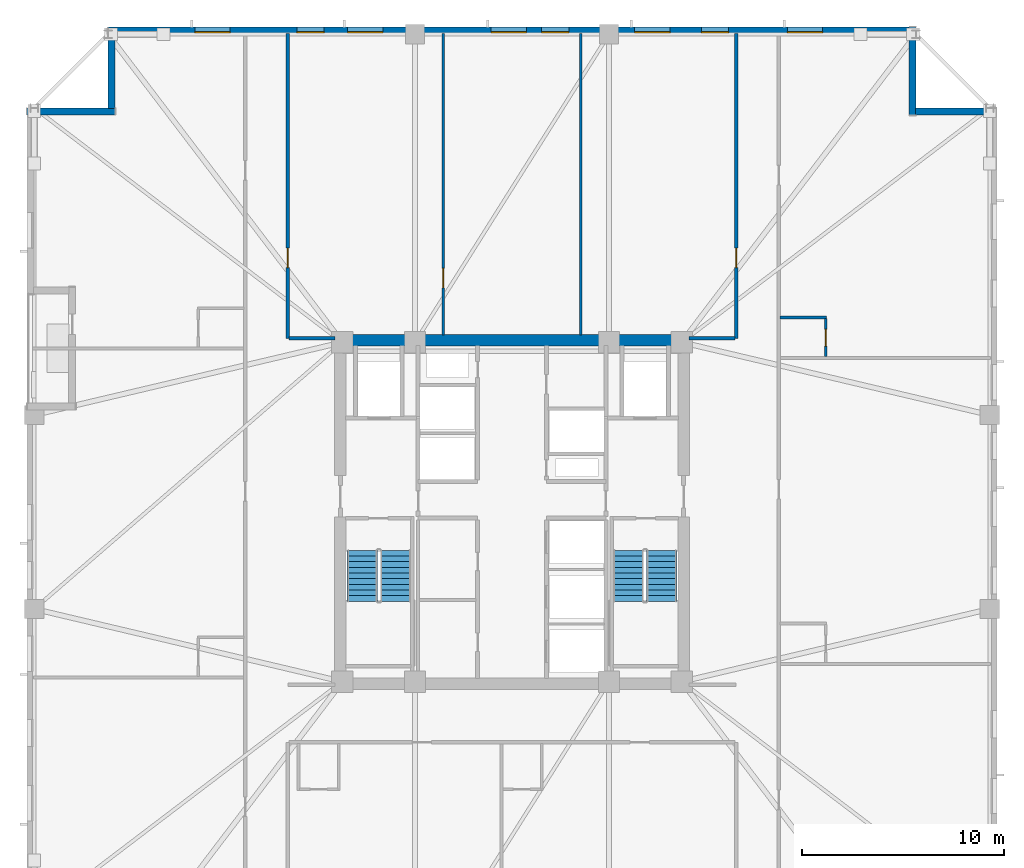
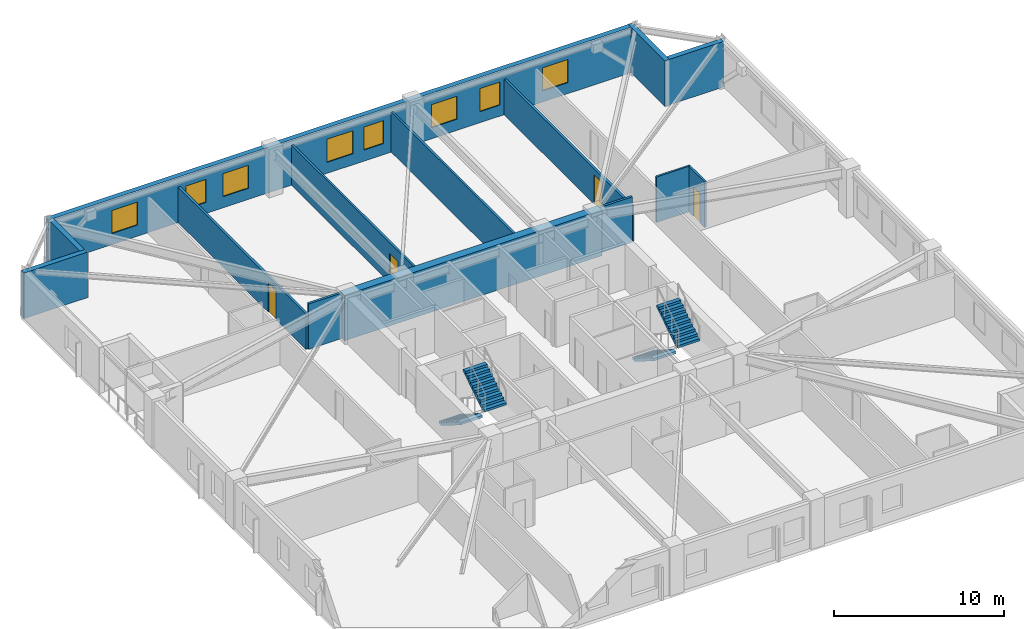
# One storey, part 5 of 10: 14 walls, 8 windows, 4 doors, 4 stair flights, 12 openings, 2 elements without a shape of their own.
"""IFC4 building model written with IfcOpenShell, lengths in metres."""

import ifcopenshell
import ifcopenshell.guid

model = None  # the IFC model being written
_history = None  # IfcOwnerHistory: only IFC2X3 demands one
_inside = {}  # id of a spatial element -> (the spatial element, [elements in it])
_under = {}  # id of a project, library or spatial element -> (it, [spatial elements below it])
_declared = {}  # id of a project -> (the project, [libraries it declares])
_typed = {}  # id of a type object -> (the type object, [elements of that type])
_made_of = {}  # id of a material, layer set ... -> (it, [elements and type objects made of it])


def new_model(schema):
    """Start an empty IFC model of exactly this schema.

    Asked for "IFC4X3", IfcOpenShell would pick the latest addendum, in which some entities
    have other attributes; the version numbers below select the first issue.
    IFC2X3 requires an IfcOwnerHistory on every rooted entity: one is made here for all.
    """
    global model, _history
    if schema == "IFC4X3":
        model = ifcopenshell.file(schema_version=(4, 3, 0, 0))
    else:
        model = ifcopenshell.file(schema=schema)
    _inside.clear()
    _under.clear()
    _declared.clear()
    _typed.clear()
    _made_of.clear()
    _history = None
    if model.schema == "IFC2X3":
        org = make("IfcOrganization", Name="unknown")
        user = make(
            "IfcPersonAndOrganization",
            ThePerson=make("IfcPerson", FamilyName="unknown"),
            TheOrganization=org,
        )
        app = make(
            "IfcApplication",
            ApplicationDeveloper=org,
            Version="unknown",
            ApplicationFullName="unknown",
            ApplicationIdentifier="unknown",
        )
        _history = make(
            "IfcOwnerHistory",
            OwningUser=user,
            OwningApplication=app,
            ChangeAction="ADDED",
            CreationDate=0,
        )
    return model


def make(cls, **values):
    """One entity of the class cls with the attributes given. An attribute that is None is left unset."""
    return model.create_entity(
        cls, **{name: value for name, value in values.items() if value is not None}
    )


def rooted(cls, **values):
    """An entity with a GlobalId (a new one), such as an element, a storey or a relation."""
    return make(cls, GlobalId=ifcopenshell.guid.new(), OwnerHistory=_history, **values)


def si_unit(unit_type, name, prefix=None):
    """IfcSIUnit, for example si_unit("LENGTHUNIT", "METRE", prefix="MILLI")."""
    return make("IfcSIUnit", UnitType=unit_type, Prefix=prefix, Name=name)


def assignment(units):
    """IfcUnitAssignment: the units of a project."""
    return None if units is None else make("IfcUnitAssignment", Units=units)


def point(xyz):
    """IfcCartesianPoint."""
    return None if xyz is None else make("IfcCartesianPoint", Coordinates=xyz)


def direction(xyz):
    """IfcDirection."""
    return None if xyz is None else make("IfcDirection", DirectionRatios=xyz)


def frame(location, z_axis=None, x_axis=None):
    """IfcAxis2Placement3D, a coordinate frame: its origin and axes. An axis left out is left unset."""
    return make(
        "IfcAxis2Placement3D",
        Location=point(location),
        Axis=direction(z_axis),
        RefDirection=direction(x_axis),
    )


def frame_2d(location, x_axis=None):
    """IfcAxis2Placement2D, a coordinate frame in the plane: its origin and x axis."""
    return make(
        "IfcAxis2Placement2D", Location=point(location), RefDirection=direction(x_axis)
    )


def origin():
    """The frame at (0, 0, 0) with its axes left unset."""
    return frame((0.0, 0.0, 0.0))


def place(relative_to, where):
    """IfcLocalPlacement: puts the frame where relative to a parent placement (None: the world)."""
    return make(
        "IfcLocalPlacement", PlacementRelTo=relative_to, RelativePlacement=where
    )


def context(
    kind, dimensions, precision=None, world=None, true_north=None, identifier=None
):
    """IfcGeometricRepresentationContext, for example the 3D "Model" context."""
    return make(
        "IfcGeometricRepresentationContext",
        ContextIdentifier=identifier,
        ContextType=kind,
        CoordinateSpaceDimension=dimensions,
        Precision=precision,
        WorldCoordinateSystem=world,
        TrueNorth=true_north,
    )


def subcontext(parent, identifier, kind, view, scale=None):
    """IfcGeometricRepresentationSubContext, for example "Body" below "Model"."""
    return make(
        "IfcGeometricRepresentationSubContext",
        ContextIdentifier=identifier,
        ContextType=kind,
        ParentContext=parent,
        TargetScale=scale,
        TargetView=view,
    )


def project(units=None, contexts=None):
    """IfcProject with its units and contexts."""
    return rooted(
        "IfcProject",
        Name="project",
        RepresentationContexts=contexts,
        UnitsInContext=assignment(units),
    )


def spatial(cls, under=None, at=None, **own):
    """A site, building, storey or space (cls), placed at a placement, below another one or the project."""
    s = rooted(cls, ObjectPlacement=at, **own)
    if under is not None:
        _under.setdefault(under.id(), (under, []))[1].append(s)
    return s


def polyline(points):
    """IfcPolyline through the points."""
    return make("IfcPolyline", Points=[point(p) for p in points])


def profile(cls, at=None, kind="AREA", **sizes):
    """A parametric profile (cls). Its sizes go by their IFC names, for example OverallWidth=200.0."""
    return make(cls, ProfileType=kind, Position=at, **sizes)


def rectangle(**sizes):
    """IfcRectangleProfileDef."""
    return profile("IfcRectangleProfileDef", **sizes)


def outline(outer, holes=None, kind="AREA"):
    """IfcArbitraryClosedProfileDef: a profile drawn as a closed curve; with holes, ...WithVoids."""
    if holes is None:
        return make("IfcArbitraryClosedProfileDef", ProfileType=kind, OuterCurve=outer)
    return make(
        "IfcArbitraryProfileDefWithVoids",
        ProfileType=kind,
        OuterCurve=outer,
        InnerCurves=holes,
    )


def extrude(swept, where, along, depth):
    """IfcExtrudedAreaSolid: the profile swept, set in the frame where, extruded along a direction by depth."""
    return make(
        "IfcExtrudedAreaSolid",
        SweptArea=swept,
        Position=where,
        ExtrudedDirection=direction(along),
        Depth=depth,
    )


def shape(context_of_items, identifier, shape_type, items):
    """IfcShapeRepresentation: the items that make up one representation, for example the "Body"."""
    return make(
        "IfcShapeRepresentation",
        ContextOfItems=context_of_items,
        RepresentationIdentifier=identifier,
        RepresentationType=shape_type,
        Items=items,
    )


def material(Name=None, Category=None):
    """IfcMaterial."""
    return make("IfcMaterial", Name=Name, Category=Category)


def layer(
    of_material, thickness, ventilated=None, Name=None, Category=None, Priority=None
):
    """IfcMaterialLayer: one layer of a wall or slab, of a material (None: an air gap)."""
    return make(
        "IfcMaterialLayer",
        Material=of_material,
        LayerThickness=thickness,
        IsVentilated=ventilated,
        Name=Name,
        Category=Category,
        Priority=Priority,
    )


def layer_set(layers, Name=None):
    """IfcMaterialLayerSet."""
    return make("IfcMaterialLayerSet", MaterialLayers=layers, LayerSetName=Name)


def made_of(thing, what):
    """Note that an element or type object is made of a material, layer set ...; save() writes the relation."""
    if what is not None:
        _made_of.setdefault(what.id(), (what, []))[1].append(thing)
    return thing


def type_object(cls, material=None, **own):
    """A type object (cls), such as IfcWallType, which elements share."""
    return made_of(rooted(cls, **own), material)


def element(
    cls,
    number,
    at=None,
    inside=None,
    cuts=None,
    type_object=None,
    material=None,
    context=None,
    identifier="Body",
    shape_type=None,
    held_by="IfcProductDefinitionShape",
    body=None,
    shapes=None,
    **own,
):
    """One element of the class cls, such as IfcWall. Its Tag is "e" and its number.

    at: its placement. inside: the storey or other place that contains it. cuts: it is an
    opening in that element (IfcRelVoidsElement). A single representation is given by context,
    identifier, shape_type and body (its items); several are given by shapes. held_by: the class
    of the entity that holds the representations. save() writes the other relations.
    """
    e = rooted(cls, Tag="e%d" % number, ObjectPlacement=at, **own)
    if body is not None:
        shapes = [shape(context, identifier, shape_type, body)]
    if shapes is not None:
        e.Representation = make(held_by, Representations=shapes)
    if inside is not None:
        _inside.setdefault(inside.id(), (inside, []))[1].append(e)
    if cuts is not None:
        rooted(
            "IfcRelVoidsElement", RelatingBuildingElement=cuts, RelatedOpeningElement=e
        )
    if type_object is not None:
        _typed.setdefault(type_object.id(), (type_object, []))[1].append(e)
    return made_of(e, material)


def fill(opening, filler):
    """IfcRelFillsElement: the door or window that sits in an opening."""
    return rooted(
        "IfcRelFillsElement",
        RelatingOpeningElement=opening,
        RelatedBuildingElement=filler,
    )


def aggregate(whole, parts):
    """IfcRelAggregates: a whole, such as a stair, and the parts it consists of."""
    return rooted("IfcRelAggregates", RelatingObject=whole, RelatedObjects=parts)


def save(model, path):
    """Write the relations noted so far, then the file.

    IfcRelAggregates (storeys below a building ...), IfcRelContainedInSpatialStructure (elements
    in a storey), IfcRelDefinesByType, IfcRelAssociatesMaterial and IfcRelDeclares: one each for
    every whole, place, type object, material and project.
    """
    for whole, parts in _under.values():
        aggregate(whole, parts)
    for where, things in _inside.values():
        rooted(
            "IfcRelContainedInSpatialStructure",
            RelatedElements=things,
            RelatingStructure=where,
        )
    for kind, things in _typed.values():
        rooted("IfcRelDefinesByType", RelatedObjects=things, RelatingType=kind)
    for what, things in _made_of.values():
        rooted("IfcRelAssociatesMaterial", RelatedObjects=things, RelatingMaterial=what)
    for by, libraries in _declared.values():
        rooted("IfcRelDeclares", RelatingContext=by, RelatedDefinitions=libraries)
    model.write(path)


model = new_model("IFC4")

# Units and contexts
model_context = context("Model", 3, precision=1e-05, world=origin(), true_north=direction((0.0, 1.0)))
body_context = subcontext(model_context, "Body", "Model", "MODEL_VIEW")
ifc_project = project(units=[si_unit("LENGTHUNIT", "METRE"), si_unit("AREAUNIT", "SQUARE_METRE"), si_unit("VOLUMEUNIT", "CUBIC_METRE"), si_unit("PLANEANGLEUNIT", "RADIAN"), si_unit("MASSUNIT", "GRAM", prefix="KILO")], contexts=[model_context])

# Site, building, storey
site_placement = place(None, origin())
site = spatial("IfcSite", under=ifc_project, at=site_placement, CompositionType="ELEMENT")
building_placement = place(site_placement, origin())
building = spatial("IfcBuilding", under=site, at=building_placement, Name="Cairnveth Concourse Tower", CompositionType="ELEMENT")
storey_placement = place(building_placement, frame((0.0, 0.0, 109.5)))
storey = spatial("IfcBuildingStorey", under=building, at=storey_placement, Name="L29", CompositionType="ELEMENT", Elevation=109.5)

# Wall, opening, door
ifc_material_1 = material(Name="Gypsum Plasterboard Partition", Category="gypsum")
ifc_layer_1 = layer(ifc_material_1, 0.159912109375)
ifc_layer_set_1 = layer_set([ifc_layer_1], Name="Gypsum Plasterboard Partition")
wall_type_1 = type_object("IfcWallType", Name="ACOUSTIC PARTY WALL 180", PredefinedType="PARTITIONING", material=ifc_layer_set_1)
wall_1_placement = place(storey_placement, frame((40.89990234375, 47.60009765625, 0.0), z_axis=(0.0, 0.0, 1.0), x_axis=(0.0, 1.0, 0.0)))
wall_1 = element("IfcWall", 1, at=wall_1_placement, inside=storey, type_object=wall_type_1, Name="Interior Wall IW-L29-038", PredefinedType="PARTITIONING", context=body_context, shape_type="SweptSolid", body=[
    extrude(rectangle(XDim=15.074951171875, YDim=0.159912109375, at=frame_2d((7.53759765625, 0.0))), origin(), (0.0, 0.0, 1.0), 2.554931640625),
])
opening_1_placement = place(wall_1_placement, frame((3.5, 0.0, 0.0)))
opening_1 = element("IfcOpeningElement", 2, at=opening_1_placement, cuts=wall_1, Name="Opening ID11", PredefinedType="OPENING", context=body_context, shape_type="SweptSolid", body=[
    extrude(rectangle(XDim=0.9599609375, YDim=2.1201171875, at=frame_2d((0.47998046875, 1.06005859375))), frame((0.0, 0.08984375, 0.0), z_axis=(0.0, -1.0, 0.0), x_axis=(1.0, 0.0, 0.0)), (0.0, 0.0, 1.0), 0.179931640625),
])
ifc_material_2 = material(Name="Solid Core Hardwood Timber Leaf", Category="wood")
door_type_1 = type_object("IfcDoorType", Name="INTERIOR SINGLE DOOR 960X2150", OperationType="NOTDEFINED", PredefinedType="DOOR", material=ifc_material_2)
door_1_placement = place(opening_1_placement, origin())
door_1 = element("IfcDoor", 3, at=door_1_placement, inside=storey, type_object=door_type_1, Name="Interior Door DR-L29-015", OperationType="SINGLE_SWING_LEFT", OverallHeight=2.1201171875, OverallWidth=0.9599609375, PredefinedType="DOOR", context=body_context, shape_type="SweptSolid", body=[
    extrude(rectangle(XDim=0.9599609375, YDim=2.1201171875, at=frame_2d((0.47998046875, 1.06005859375))), frame((0.0, 0.02490234375, 0.0), z_axis=(0.0, -1.0, 0.0), x_axis=(1.0, 0.0, 0.0)), (0.0, 0.0, 1.0), 0.050048828125),
])
fill(opening_1, door_1)

# Wall
wall_2_placement = place(storey_placement, frame((40.965087890625, 47.60009765625, 0.0), z_axis=(0.0, 0.0, 1.0), x_axis=(1.0, 0.0, 0.0)))
element("IfcWall", 4, at=wall_2_placement, inside=storey, type_object=wall_type_1, Name="Interior Wall IW-L29-040", PredefinedType="PARTITIONING", context=body_context, shape_type="SweptSolid", body=[
    extrude(rectangle(XDim=2.27001953125, YDim=0.159912109375, at=frame_2d((1.135009765625, 0.0))), origin(), (0.0, 0.0, 1.0), 3.280029296875),
])

# Wall, opening, door
wall_3_placement = place(storey_placement, frame((63.10009765625, 47.60009765625, 0.0), z_axis=(0.0, 0.0, 1.0), x_axis=(0.0, 1.0, 0.0)))
wall_3 = element("IfcWall", 5, at=wall_3_placement, inside=storey, type_object=wall_type_1, Name="Interior Wall IW-L29-043", PredefinedType="PARTITIONING", context=body_context, shape_type="SweptSolid", body=[
    extrude(rectangle(XDim=15.074951171875, YDim=0.159912109375, at=frame_2d((7.53759765625, 0.0))), origin(), (0.0, 0.0, 1.0), 2.554931640625),
])
opening_2_placement = place(wall_3_placement, frame((3.5, 0.0, 0.0)))
opening_2 = element("IfcOpeningElement", 6, at=opening_2_placement, cuts=wall_3, Name="Opening ID11", PredefinedType="OPENING", context=body_context, shape_type="SweptSolid", body=[
    extrude(rectangle(XDim=0.9599609375, YDim=2.1201171875, at=frame_2d((0.47998046875, 1.06005859375))), frame((0.0, 0.08984375, 0.0), z_axis=(0.0, -1.0, 0.0), x_axis=(1.0, 0.0, 0.0)), (0.0, 0.0, 1.0), 0.179931640625),
])
door_2_placement = place(opening_2_placement, origin())
door_2 = element("IfcDoor", 7, at=door_2_placement, inside=storey, type_object=door_type_1, Name="Interior Door DR-L29-016", OperationType="SINGLE_SWING_RIGHT", OverallHeight=2.1201171875, OverallWidth=0.9599609375, PredefinedType="DOOR", context=body_context, shape_type="SweptSolid", body=[
    extrude(rectangle(XDim=0.9599609375, YDim=2.1201171875, at=frame_2d((0.47998046875, 1.06005859375))), frame((0.0, 0.02490234375, 0.0), z_axis=(0.0, -1.0, 0.0), x_axis=(1.0, 0.0, 0.0)), (0.0, 0.0, 1.0), 0.050048828125),
])
fill(opening_2, door_2)

# Walls
wall_4_placement = place(storey_placement, frame((60.764892578125, 47.60009765625, 0.0), z_axis=(0.0, 0.0, 1.0), x_axis=(1.0, 0.0, 0.0)))
element("IfcWall", 8, at=wall_4_placement, inside=storey, type_object=wall_type_1, Name="Interior Wall IW-L29-045", PredefinedType="PARTITIONING", context=body_context, shape_type="SweptSolid", body=[
    extrude(rectangle(XDim=2.27001953125, YDim=0.159912109375, at=frame_2d((1.135009765625, 0.0))), origin(), (0.0, 0.0, 1.0), 3.280029296875),
])
ifc_material_3 = material(Name="Concrete N80 (80 MPa)", Category="concrete")
ifc_layer_2 = layer(ifc_material_3, 0.550048828125)
ifc_layer_set_2 = layer_set([ifc_layer_2], Name="Concrete N80 (80 MPa)")
wall_type_2 = type_object("IfcWallType", Name="CORE SHEAR WALL 550", PredefinedType="SHEAR", material=ifc_layer_set_2)
wall_5_placement = place(storey_placement, frame((43.22509765625, 47.5, 0.0), z_axis=(0.0, 0.0, 1.0), x_axis=(1.0, 0.0, 0.0)))
element("IfcWall", 9, at=wall_5_placement, inside=storey, type_object=wall_type_2, Name="Core North Shear Wall L29", PredefinedType="SHEAR", context=body_context, shape_type="SweptSolid", body=[
    extrude(rectangle(XDim=17.5498046875, YDim=0.550048828125, at=frame_2d((8.77490234375, 0.0))), origin(), (0.0, 0.0, 1.0), 3.280029296875),
])

# Wall, opening, door
ifc_layer_3 = layer(ifc_material_1, 0.139892578125)
ifc_layer_set_3 = layer_set([ifc_layer_3], Name="Gypsum Plasterboard Partition")
wall_type_3 = type_object("IfcWallType", Name="GYPSUM STUD PARTITION 140", PredefinedType="PARTITIONING", material=ifc_layer_set_3)
wall_6_placement = place(storey_placement, frame((48.60009765625, 47.760009765625, 0.0), z_axis=(0.0, 0.0, 1.0), x_axis=(0.0, 1.0, 0.0)))
wall_6 = element("IfcWall", 10, at=wall_6_placement, inside=storey, type_object=wall_type_3, Name="Interior Wall IW-L29-047", PredefinedType="PARTITIONING", context=body_context, shape_type="SweptSolid", body=[
    extrude(rectangle(XDim=14.9150390625, YDim=0.139892578125, at=frame_2d((7.45751953125, 0.0))), origin(), (0.0, 0.0, 1.0), 2.89599609375),
])
opening_3_placement = place(wall_6_placement, frame((2.340087890625, 0.0, 0.0)))
opening_3 = element("IfcOpeningElement", 11, at=opening_3_placement, cuts=wall_6, Name="Opening ID11", PredefinedType="OPENING", context=body_context, shape_type="SweptSolid", body=[
    extrude(rectangle(XDim=0.9599609375, YDim=2.1201171875, at=frame_2d((0.47998046875, 1.06005859375))), frame((0.0, 0.079833984375, 0.0), z_axis=(0.0, -1.0, 0.0), x_axis=(1.0, 0.0, 0.0)), (0.0, 0.0, 1.0), 0.159912109375),
])
door_3_placement = place(opening_3_placement, origin())
door_3 = element("IfcDoor", 12, at=door_3_placement, inside=storey, type_object=door_type_1, Name="Interior Door DR-L29-017", OperationType="SINGLE_SWING_LEFT", OverallHeight=2.1201171875, OverallWidth=0.9599609375, PredefinedType="DOOR", context=body_context, shape_type="SweptSolid", body=[
    extrude(rectangle(XDim=0.9599609375, YDim=2.1201171875, at=frame_2d((0.47998046875, 1.06005859375))), frame((0.0, 0.02490234375, 0.0), z_axis=(0.0, -1.0, 0.0), x_axis=(1.0, 0.0, 0.0)), (0.0, 0.0, 1.0), 0.050048828125),
])
fill(opening_3, door_3)

# Walls
wall_7_placement = place(storey_placement, frame((55.39990234375, 47.760009765625, 0.0), z_axis=(0.0, 0.0, 1.0), x_axis=(0.0, 1.0, 0.0)))
element("IfcWall", 13, at=wall_7_placement, inside=storey, type_object=wall_type_3, Name="Interior Wall IW-L29-048", PredefinedType="PARTITIONING", context=body_context, shape_type="SweptSolid", body=[
    extrude(rectangle(XDim=14.9150390625, YDim=0.139892578125, at=frame_2d((7.45751953125, 0.0))), origin(), (0.0, 0.0, 1.0), 2.89599609375),
])
ifc_layer_4 = layer(ifc_material_1, 0.1298828125)
ifc_layer_set_4 = layer_set([ifc_layer_4], Name="Gypsum Plasterboard Partition")
wall_type_4 = type_object("IfcWallType", Name="WET AREA PARTITION 140", PredefinedType="PLUMBINGWALL", material=ifc_layer_set_4)
wall_8_placement = place(storey_placement, frame((65.264892578125, 48.6259765625, 0.0), z_axis=(0.0, 0.0, 1.0), x_axis=(1.0, 0.0, 0.0)))
element("IfcWall", 14, at=wall_8_placement, inside=storey, type_object=wall_type_4, Name="Interior Wall IW-L29-071", PredefinedType="PLUMBINGWALL", context=body_context, shape_type="SweptSolid", body=[
    extrude(rectangle(XDim=2.315185546875, YDim=0.1298828125, at=frame_2d((1.15771484375, 0.0))), origin(), (0.0, 0.0, 1.0), 3.280029296875),
])

# Wall, opening, door
wall_9_placement = place(storey_placement, frame((67.530029296875, 46.69091796875, 0.0), z_axis=(0.0, 0.0, 1.0), x_axis=(0.0, 1.0, 0.0)))
wall_9 = element("IfcWall", 15, at=wall_9_placement, inside=storey, type_object=wall_type_4, Name="Interior Wall IW-L29-072", PredefinedType="PLUMBINGWALL", context=body_context, shape_type="SweptSolid", body=[
    extrude(rectangle(XDim=1.885009765625, YDim=0.1298828125, at=frame_2d((0.9423828125, 0.0))), origin(), (0.0, 0.0, 1.0), 3.280029296875),
])
opening_4_placement = place(wall_9_placement, frame((0.52490234375, 0.0, 0.0)))
opening_4 = element("IfcOpeningElement", 16, at=opening_4_placement, cuts=wall_9, Name="Opening ID22", PredefinedType="OPENING", context=body_context, shape_type="SweptSolid", body=[
    extrude(rectangle(XDim=0.820068359375, YDim=2.10009765625, at=frame_2d((0.41015625, 1.050048828125))), frame((0.0, 0.074951171875, 0.0), z_axis=(0.0, -1.0, 0.0), x_axis=(1.0, 0.0, 0.0)), (0.0, 0.0, 1.0), 0.14990234375),
])
door_type_2 = type_object("IfcDoorType", Name="INTERIOR WC DOOR 820X2100", OperationType="NOTDEFINED", PredefinedType="DOOR", material=ifc_material_2)
door_4_placement = place(opening_4_placement, origin())
door_4 = element("IfcDoor", 17, at=door_4_placement, inside=storey, type_object=door_type_2, Name="En-Suite Door L29-E3", OperationType="SINGLE_SWING_RIGHT", OverallHeight=2.10009765625, OverallWidth=0.820068359375, PredefinedType="DOOR", context=body_context, shape_type="SweptSolid", body=[
    extrude(rectangle(XDim=0.820068359375, YDim=2.10009765625, at=frame_2d((0.41015625, 1.050048828125))), frame((0.0, 0.02490234375, 0.0), z_axis=(0.0, -1.0, 0.0), x_axis=(1.0, 0.0, 0.0)), (0.0, 0.0, 1.0), 0.050048828125),
])
fill(opening_4, door_4)

# Walls
ifc_material_4 = material(Name="Hawthorn Red-Ochre Fired Clay Brick Masonry", Category="masonry")
ifc_layer_5 = layer(ifc_material_4, 0.340087890625)
ifc_layer_set_5 = layer_set([ifc_layer_5], Name="Hawthorn Red-Ochre Fired Clay Brick Masonry")
wall_type_5 = type_object("IfcWallType", Name="ZONE 2 BRICK PIER SPANDREL WALL 340", PredefinedType="SOLIDWALL", material=ifc_layer_set_5)
wall_10_placement = place(storey_placement, frame((28.0, 58.830078125, 0.0), z_axis=(0.0, 0.0, 1.0), x_axis=(1.0, 0.0, 0.0)))
element("IfcWall", 18, at=wall_10_placement, inside=storey, type_object=wall_type_5, Name="Exterior Wall EW-L29-S01", PredefinedType="SOLIDWALL", context=body_context, shape_type="SweptSolid", body=[
    extrude(rectangle(XDim=4.340087890625, YDim=0.340087890625, at=frame_2d((2.169921875, 0.0))), origin(), (0.0, 0.0, 1.0), 3.280029296875),
])
wall_11_placement = place(storey_placement, frame((32.169921875, 58.97802734375, 0.0), z_axis=(0.0, 0.0, 1.0), x_axis=(0.0, 1.0, 0.0)))
element("IfcWall", 19, at=wall_11_placement, inside=storey, type_object=wall_type_5, Name="Exterior Wall EW-L29-S02", PredefinedType="SOLIDWALL", context=body_context, shape_type="SweptSolid", body=[
    extrude(rectangle(XDim=3.703857421875, YDim=0.340087890625, at=frame_2d((1.85205078125, 0.0))), origin(), (0.0, 0.0, 1.0), 3.280029296875),
])

# Wall, openings, windows
wall_12_placement = place(storey_placement, frame((32.0, 62.830078125, 0.0), z_axis=(0.0, 0.0, 1.0), x_axis=(1.0, 0.0, 0.0)))
wall_12 = element("IfcWall", 20, at=wall_12_placement, inside=storey, type_object=wall_type_5, Name="Exterior Wall EW-L29-S03", PredefinedType="SOLIDWALL", context=body_context, shape_type="SweptSolid", body=[
    extrude(rectangle(XDim=39.681884765625, YDim=0.340087890625, at=frame_2d((19.8408203125, 0.0))), origin(), (0.0, 0.0, 1.0), 3.280029296875),
])
opening_5_placement = place(wall_12_placement, frame((4.3017578125, 0.0, 0.800048828125)))
opening_5 = element("IfcOpeningElement", 21, at=opening_5_placement, cuts=wall_12, Name="Opening W06", PredefinedType="OPENING", context=body_context, shape_type="SweptSolid", body=[
    extrude(rectangle(XDim=1.75, YDim=1.659912109375, at=frame_2d((0.875, 0.830078125))), frame((0.0, 0.179931640625, 0.0), z_axis=(0.0, -1.0, 0.0), x_axis=(1.0, 0.0, 0.0)), (0.0, 0.0, 1.0), 0.360107421875),
])
opening_6_placement = place(wall_12_placement, frame((9.355224609375, 0.0, 0.800048828125)))
opening_6 = element("IfcOpeningElement", 22, at=opening_6_placement, cuts=wall_12, Name="Opening W02", PredefinedType="OPENING", context=body_context, shape_type="SweptSolid", body=[
    extrude(rectangle(XDim=1.35009765625, YDim=1.659912109375, at=frame_2d((0.675048828125, 0.830078125))), frame((0.0, 0.179931640625, 0.0), z_axis=(0.0, -1.0, 0.0), x_axis=(1.0, 0.0, 0.0)), (0.0, 0.0, 1.0), 0.360107421875),
])
opening_7_placement = place(wall_12_placement, frame((11.85888671875, 0.0, 0.800048828125)))
opening_7 = element("IfcOpeningElement", 23, at=opening_7_placement, cuts=wall_12, Name="Opening W06", PredefinedType="OPENING", context=body_context, shape_type="SweptSolid", body=[
    extrude(rectangle(XDim=1.75, YDim=1.659912109375, at=frame_2d((0.875, 0.830078125))), frame((0.0, 0.179931640625, 0.0), z_axis=(0.0, -1.0, 0.0), x_axis=(1.0, 0.0, 0.0)), (0.0, 0.0, 1.0), 0.360107421875),
])
opening_8_placement = place(wall_12_placement, frame((18.966064453125, 0.0, 0.800048828125)))
opening_8 = element("IfcOpeningElement", 24, at=opening_8_placement, cuts=wall_12, Name="Opening W06", PredefinedType="OPENING", context=body_context, shape_type="SweptSolid", body=[
    extrude(rectangle(XDim=1.75, YDim=1.659912109375, at=frame_2d((0.875, 0.830078125))), frame((0.0, 0.179931640625, 0.0), z_axis=(0.0, -1.0, 0.0), x_axis=(1.0, 0.0, 0.0)), (0.0, 0.0, 1.0), 0.360107421875),
])
opening_9_placement = place(wall_12_placement, frame((21.469482421875, 0.0, 0.800048828125)))
opening_9 = element("IfcOpeningElement", 25, at=opening_9_placement, cuts=wall_12, Name="Opening W02", PredefinedType="OPENING", context=body_context, shape_type="SweptSolid", body=[
    extrude(rectangle(XDim=1.35009765625, YDim=1.659912109375, at=frame_2d((0.675048828125, 0.830078125))), frame((0.0, 0.179931640625, 0.0), z_axis=(0.0, -1.0, 0.0), x_axis=(1.0, 0.0, 0.0)), (0.0, 0.0, 1.0), 0.360107421875),
])
opening_10_placement = place(wall_12_placement, frame((26.072998046875, 0.0, 0.800048828125)))
opening_10 = element("IfcOpeningElement", 26, at=opening_10_placement, cuts=wall_12, Name="Opening W06", PredefinedType="OPENING", context=body_context, shape_type="SweptSolid", body=[
    extrude(rectangle(XDim=1.75, YDim=1.659912109375, at=frame_2d((0.875, 0.830078125))), frame((0.0, 0.179931640625, 0.0), z_axis=(0.0, -1.0, 0.0), x_axis=(1.0, 0.0, 0.0)), (0.0, 0.0, 1.0), 0.360107421875),
])
opening_11_placement = place(wall_12_placement, frame((29.376708984375, 0.0, 0.800048828125)))
opening_11 = element("IfcOpeningElement", 27, at=opening_11_placement, cuts=wall_12, Name="Opening W02", PredefinedType="OPENING", context=body_context, shape_type="SweptSolid", body=[
    extrude(rectangle(XDim=1.35009765625, YDim=1.659912109375, at=frame_2d((0.675048828125, 0.830078125))), frame((0.0, 0.179931640625, 0.0), z_axis=(0.0, -1.0, 0.0), x_axis=(1.0, 0.0, 0.0)), (0.0, 0.0, 1.0), 0.360107421875),
])
opening_12_placement = place(wall_12_placement, frame((33.630126953125, 0.0, 0.800048828125)))
opening_12 = element("IfcOpeningElement", 28, at=opening_12_placement, cuts=wall_12, Name="Opening W06", PredefinedType="OPENING", context=body_context, shape_type="SweptSolid", body=[
    extrude(rectangle(XDim=1.75, YDim=1.659912109375, at=frame_2d((0.875, 0.830078125))), frame((0.0, 0.179931640625, 0.0), z_axis=(0.0, -1.0, 0.0), x_axis=(1.0, 0.0, 0.0)), (0.0, 0.0, 1.0), 0.360107421875),
])
ifc_material_5 = material(Name="Double Glazed Low-E Clear Glass", Category="glass")
window_type_1 = type_object("IfcWindowType", Name="DEEP-SET GOTHIC LANCET WINDOW 1350X1800", PartitioningType="DOUBLE_PANEL_VERTICAL", PredefinedType="WINDOW", material=ifc_material_5)
window_1_placement = place(opening_6_placement, origin())
window_1 = element("IfcWindow", 29, at=window_1_placement, inside=storey, type_object=window_type_1, Name="Gothic Lancet Window L29-3-2", OverallHeight=1.659912109375, OverallWidth=1.35009765625, PartitioningType="SINGLE_PANEL", PredefinedType="WINDOW", context=body_context, shape_type="SweptSolid", body=[
    extrude(rectangle(XDim=1.35009765625, YDim=1.659912109375, at=frame_2d((0.675048828125, 0.830078125))), frame((0.0, -0.050048828125, 0.0), z_axis=(0.0, -1.0, 0.0), x_axis=(1.0, 0.0, 0.0)), (0.0, 0.0, 1.0), 0.06005859375),
])
fill(opening_6, window_1)
window_2_placement = place(opening_9_placement, origin())
window_2 = element("IfcWindow", 30, at=window_2_placement, inside=storey, type_object=window_type_1, Name="Gothic Lancet Window L29-3-6", OverallHeight=1.659912109375, OverallWidth=1.35009765625, PartitioningType="SINGLE_PANEL", PredefinedType="WINDOW", context=body_context, shape_type="SweptSolid", body=[
    extrude(rectangle(XDim=1.35009765625, YDim=1.659912109375, at=frame_2d((0.675048828125, 0.830078125))), frame((0.0, -0.050048828125, 0.0), z_axis=(0.0, -1.0, 0.0), x_axis=(1.0, 0.0, 0.0)), (0.0, 0.0, 1.0), 0.06005859375),
])
fill(opening_9, window_2)
window_3_placement = place(opening_11_placement, origin())
window_3 = element("IfcWindow", 31, at=window_3_placement, inside=storey, type_object=window_type_1, Name="Gothic Lancet Window L29-3-8", OverallHeight=1.659912109375, OverallWidth=1.35009765625, PartitioningType="SINGLE_PANEL", PredefinedType="WINDOW", context=body_context, shape_type="SweptSolid", body=[
    extrude(rectangle(XDim=1.35009765625, YDim=1.659912109375, at=frame_2d((0.675048828125, 0.830078125))), frame((0.0, -0.050048828125, 0.0), z_axis=(0.0, -1.0, 0.0), x_axis=(1.0, 0.0, 0.0)), (0.0, 0.0, 1.0), 0.06005859375),
])
fill(opening_11, window_3)
window_type_2 = type_object("IfcWindowType", Name="DEEP-SET HOTEL SUITE WINDOW 1750X1800", PartitioningType="DOUBLE_PANEL_VERTICAL", PredefinedType="WINDOW", material=ifc_material_5)
window_4_placement = place(opening_5_placement, origin())
window_4 = element("IfcWindow", 32, at=window_4_placement, inside=storey, type_object=window_type_2, Name="Gothic Lancet Window L29-3-1", OverallHeight=1.659912109375, OverallWidth=1.75, PartitioningType="SINGLE_PANEL", PredefinedType="WINDOW", context=body_context, shape_type="SweptSolid", body=[
    extrude(rectangle(XDim=1.75, YDim=1.659912109375, at=frame_2d((0.875, 0.830078125))), frame((0.0, -0.050048828125, 0.0), z_axis=(0.0, -1.0, 0.0), x_axis=(1.0, 0.0, 0.0)), (0.0, 0.0, 1.0), 0.06005859375),
])
fill(opening_5, window_4)
window_5_placement = place(opening_7_placement, origin())
window_5 = element("IfcWindow", 33, at=window_5_placement, inside=storey, type_object=window_type_2, Name="Gothic Lancet Window L29-3-3", OverallHeight=1.659912109375, OverallWidth=1.75, PartitioningType="SINGLE_PANEL", PredefinedType="WINDOW", context=body_context, shape_type="SweptSolid", body=[
    extrude(rectangle(XDim=1.75, YDim=1.659912109375, at=frame_2d((0.875, 0.830078125))), frame((0.0, -0.050048828125, 0.0), z_axis=(0.0, -1.0, 0.0), x_axis=(1.0, 0.0, 0.0)), (0.0, 0.0, 1.0), 0.06005859375),
])
fill(opening_7, window_5)
window_6_placement = place(opening_8_placement, origin())
window_6 = element("IfcWindow", 34, at=window_6_placement, inside=storey, type_object=window_type_2, Name="Gothic Lancet Window L29-3-5", OverallHeight=1.659912109375, OverallWidth=1.75, PartitioningType="SINGLE_PANEL", PredefinedType="WINDOW", context=body_context, shape_type="SweptSolid", body=[
    extrude(rectangle(XDim=1.75, YDim=1.659912109375, at=frame_2d((0.875, 0.830078125))), frame((0.0, -0.050048828125, 0.0), z_axis=(0.0, -1.0, 0.0), x_axis=(1.0, 0.0, 0.0)), (0.0, 0.0, 1.0), 0.06005859375),
])
fill(opening_8, window_6)
window_7_placement = place(opening_10_placement, origin())
window_7 = element("IfcWindow", 35, at=window_7_placement, inside=storey, type_object=window_type_2, Name="Gothic Lancet Window L29-3-7", OverallHeight=1.659912109375, OverallWidth=1.75, PartitioningType="SINGLE_PANEL", PredefinedType="WINDOW", context=body_context, shape_type="SweptSolid", body=[
    extrude(rectangle(XDim=1.75, YDim=1.659912109375, at=frame_2d((0.875, 0.830078125))), frame((0.0, -0.050048828125, 0.0), z_axis=(0.0, -1.0, 0.0), x_axis=(1.0, 0.0, 0.0)), (0.0, 0.0, 1.0), 0.06005859375),
])
fill(opening_10, window_7)
window_8_placement = place(opening_12_placement, origin())
window_8 = element("IfcWindow", 36, at=window_8_placement, inside=storey, type_object=window_type_2, Name="Gothic Lancet Window L29-3-9", OverallHeight=1.659912109375, OverallWidth=1.75, PartitioningType="SINGLE_PANEL", PredefinedType="WINDOW", context=body_context, shape_type="SweptSolid", body=[
    extrude(rectangle(XDim=1.75, YDim=1.659912109375, at=frame_2d((0.875, 0.830078125))), frame((0.0, -0.050048828125, 0.0), z_axis=(0.0, -1.0, 0.0), x_axis=(1.0, 0.0, 0.0)), (0.0, 0.0, 1.0), 0.06005859375),
])
fill(opening_12, window_8)

# Walls
wall_13_placement = place(storey_placement, frame((71.830078125, 63.0, 0.0), z_axis=(0.0, 0.0, 1.0), x_axis=(0.0, -1.0, 0.0)))
element("IfcWall", 37, at=wall_13_placement, inside=storey, type_object=wall_type_5, Name="Exterior Wall EW-L29-S04", PredefinedType="SOLIDWALL", context=body_context, shape_type="SweptSolid", body=[
    extrude(rectangle(XDim=4.340087890625, YDim=0.340087890625, at=frame_2d((2.169921875, 0.0))), origin(), (0.0, 0.0, 1.0), 3.280029296875),
])
wall_14_placement = place(storey_placement, frame((71.97802734375, 58.830078125, 0.0), z_axis=(0.0, 0.0, 1.0), x_axis=(1.0, 0.0, 0.0)))
element("IfcWall", 38, at=wall_14_placement, inside=storey, type_object=wall_type_5, Name="Exterior Wall EW-L29-S05", PredefinedType="SOLIDWALL", context=body_context, shape_type="SweptSolid", body=[
    extrude(rectangle(XDim=3.703857421875, YDim=0.340087890625, at=frame_2d((1.85205078125, 0.0))), origin(), (0.0, 0.0, 1.0), 3.280029296875),
])

# Stair, stair flights
ifc_material_6 = material(Name="Precast concrete N50 (50 MPa)", Category="concrete")
stair_type = type_object("IfcStairType", Name="CORE DOG-LEG FIRE STAIR 1500", PredefinedType="HALF_TURN_STAIR", material=ifc_material_6)
stair_1_placement = place(storey_placement, origin())
stair_1 = element("IfcStair", 39, at=stair_1_placement, inside=storey, type_object=stair_type, Name="L29 Fire-Isolated Stair ST-1", PredefinedType="HALF_TURN_STAIR")
stair_flight_type = type_object("IfcStairFlightType", Name="PRECAST CONCRETE STAIR FLIGHT 1500", PredefinedType="STRAIGHT", material=ifc_material_6)
stair_flight_1_placement = place(storey_placement, frame((44.590087890625, 37.10009765625, 0.0), z_axis=(0.0, 0.0, 1.0), x_axis=(0.0, -1.0, 0.0)))
stair_flight_1 = element("IfcStairFlight", 40, at=stair_flight_1_placement, type_object=stair_flight_type, Name="ST-1 flight 1", NumberOfRisers=10, NumberOfTreads=9, PredefinedType="STRAIGHT", RiserHeight=0.175, TreadLength=0.28, context=body_context, shape_type="SweptSolid", body=[
    extrude(outline(polyline([(0.0, 0.0), (0.0, 0.175048828125), (0.280029296875, 0.175048828125), (0.280029296875, 0.35009765625), (0.56005859375, 0.35009765625), (0.56005859375, 0.52490234375), (0.840087890625, 0.52490234375), (0.840087890625, 0.699951171875), (1.1201171875, 0.699951171875), (1.1201171875, 0.875), (1.39990234375, 0.875), (1.39990234375, 1.050048828125), (1.679931640625, 1.050048828125), (1.679931640625, 1.22509765625), (1.9599609375, 1.22509765625), (1.9599609375, 1.39990234375), (2.239990234375, 1.39990234375), (2.239990234375, 1.574951171875), (2.52001953125, 1.574951171875), (2.52001953125, 1.75), (2.52001953125, 1.398193359375), (0.28271484375, 0.0), (0.0, 0.0)])), frame((0.0, 0.75, 0.0), z_axis=(0.0, -1.0, 0.0), x_axis=(1.0, 0.0, 0.0)), (0.0, 0.0, 1.0), 1.5),
])
stair_flight_2_placement = place(storey_placement, frame((46.22998046875, 34.580078125, 1.75), z_axis=(0.0, 0.0, 1.0), x_axis=(0.0, 1.0, 0.0)))
stair_flight_2 = element("IfcStairFlight", 41, at=stair_flight_2_placement, type_object=stair_flight_type, Name="ST-1 flight 2", NumberOfRisers=10, NumberOfTreads=9, PredefinedType="STRAIGHT", RiserHeight=0.175, TreadLength=0.28, context=body_context, shape_type="SweptSolid", body=[
    extrude(outline(polyline([(0.0, 0.0), (0.0, 0.175048828125), (0.280029296875, 0.175048828125), (0.280029296875, 0.35009765625), (0.56005859375, 0.35009765625), (0.56005859375, 0.52490234375), (0.840087890625, 0.52490234375), (0.840087890625, 0.699951171875), (1.1201171875, 0.699951171875), (1.1201171875, 0.875), (1.39990234375, 0.875), (1.39990234375, 1.050048828125), (1.679931640625, 1.050048828125), (1.679931640625, 1.22509765625), (1.9599609375, 1.22509765625), (1.9599609375, 1.39990234375), (2.239990234375, 1.39990234375), (2.239990234375, 1.574951171875), (2.52001953125, 1.574951171875), (2.52001953125, 1.75), (2.52001953125, 1.398193359375), (0.28271484375, 0.0), (0.0, 0.0)])), frame((0.0, 0.75, 0.0), z_axis=(0.0, -1.0, 0.0), x_axis=(1.0, 0.0, 0.0)), (0.0, 0.0, 1.0), 1.5),
])
aggregate(stair_1, [stair_flight_1, stair_flight_2])

stair_2_placement = place(storey_placement, origin())
stair_2 = element("IfcStair", 42, at=stair_2_placement, inside=storey, type_object=stair_type, Name="L29 Fire-Isolated Stair ST-2", PredefinedType="HALF_TURN_STAIR")
stair_flight_3_placement = place(storey_placement, frame((57.77001953125, 37.10009765625, 0.0), z_axis=(0.0, 0.0, 1.0), x_axis=(0.0, -1.0, 0.0)))
stair_flight_3 = element("IfcStairFlight", 43, at=stair_flight_3_placement, type_object=stair_flight_type, Name="ST-2 flight 1", NumberOfRisers=10, NumberOfTreads=9, PredefinedType="STRAIGHT", RiserHeight=0.175, TreadLength=0.28, context=body_context, shape_type="SweptSolid", body=[
    extrude(outline(polyline([(0.0, 0.0), (0.0, 0.175048828125), (0.280029296875, 0.175048828125), (0.280029296875, 0.35009765625), (0.56005859375, 0.35009765625), (0.56005859375, 0.52490234375), (0.840087890625, 0.52490234375), (0.840087890625, 0.699951171875), (1.1201171875, 0.699951171875), (1.1201171875, 0.875), (1.39990234375, 0.875), (1.39990234375, 1.050048828125), (1.679931640625, 1.050048828125), (1.679931640625, 1.22509765625), (1.9599609375, 1.22509765625), (1.9599609375, 1.39990234375), (2.239990234375, 1.39990234375), (2.239990234375, 1.574951171875), (2.52001953125, 1.574951171875), (2.52001953125, 1.75), (2.52001953125, 1.398193359375), (0.28271484375, 0.0), (0.0, 0.0)])), frame((0.0, 0.75, 0.0), z_axis=(0.0, -1.0, 0.0), x_axis=(1.0, 0.0, 0.0)), (0.0, 0.0, 1.0), 1.5),
])
stair_flight_4_placement = place(storey_placement, frame((59.409912109375, 34.580078125, 1.75), z_axis=(0.0, 0.0, 1.0), x_axis=(0.0, 1.0, 0.0)))
stair_flight_4 = element("IfcStairFlight", 44, at=stair_flight_4_placement, type_object=stair_flight_type, Name="ST-2 flight 2", NumberOfRisers=10, NumberOfTreads=9, PredefinedType="STRAIGHT", RiserHeight=0.175, TreadLength=0.28, context=body_context, shape_type="SweptSolid", body=[
    extrude(outline(polyline([(0.0, 0.0), (0.0, 0.175048828125), (0.280029296875, 0.175048828125), (0.280029296875, 0.35009765625), (0.56005859375, 0.35009765625), (0.56005859375, 0.52490234375), (0.840087890625, 0.52490234375), (0.840087890625, 0.699951171875), (1.1201171875, 0.699951171875), (1.1201171875, 0.875), (1.39990234375, 0.875), (1.39990234375, 1.050048828125), (1.679931640625, 1.050048828125), (1.679931640625, 1.22509765625), (1.9599609375, 1.22509765625), (1.9599609375, 1.39990234375), (2.239990234375, 1.39990234375), (2.239990234375, 1.574951171875), (2.52001953125, 1.574951171875), (2.52001953125, 1.75), (2.52001953125, 1.398193359375), (0.28271484375, 0.0), (0.0, 0.0)])), frame((0.0, 0.75, 0.0), z_axis=(0.0, -1.0, 0.0), x_axis=(1.0, 0.0, 0.0)), (0.0, 0.0, 1.0), 1.5),
])
aggregate(stair_2, [stair_flight_3, stair_flight_4])

save(model, "model.ifc")
